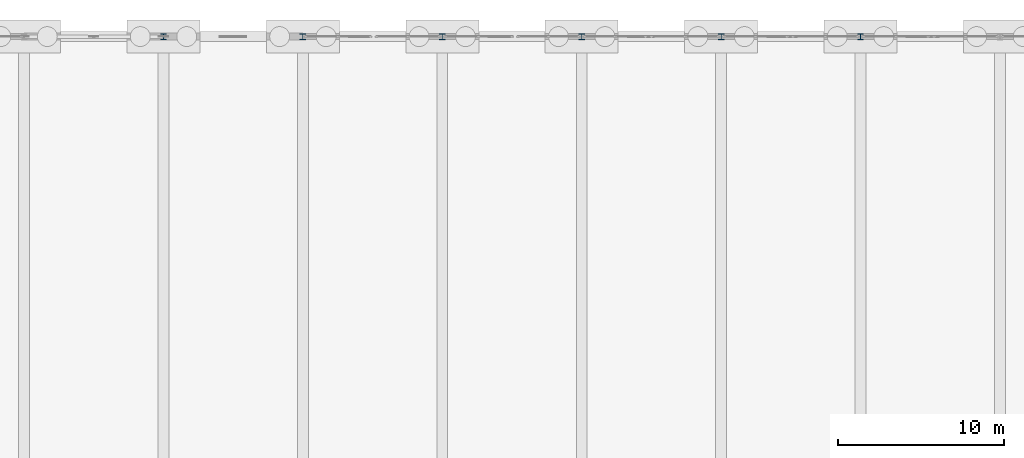
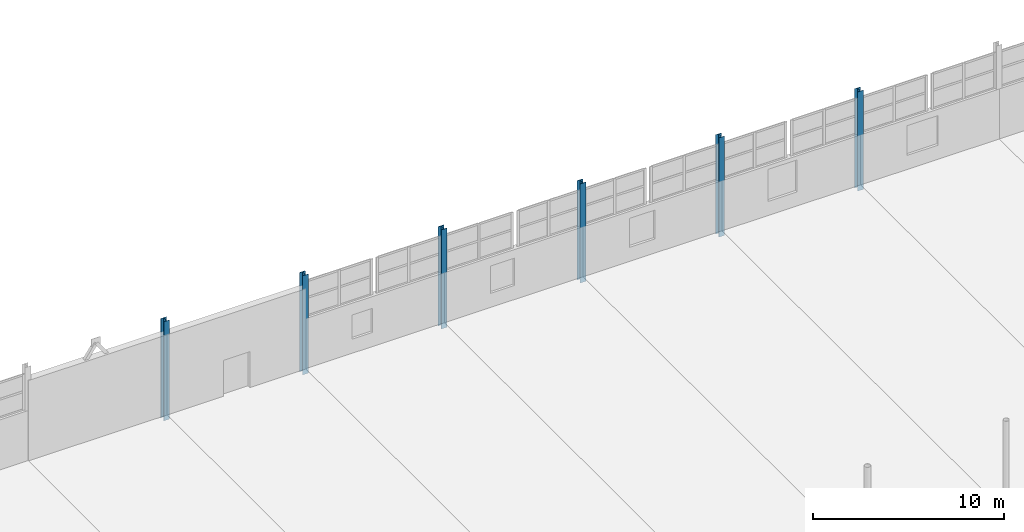
# One storey, part 50 of 139: 6 columns.
"""IFC4 building model written with IfcOpenShell, lengths in metres."""

from ifc_helpers import new_model, si_unit, direction, frame, origin, origin_2d, place, context, subcontext, project, spatial, i_section, extrude, material, material_profile, profile_set, type_object, element, save


model = new_model("IFC4")

# Units and contexts
model_context = context("Model", 3, precision=1e-05, world=origin(), true_north=direction((0.0, 1.0)))
body_context = subcontext(model_context, "Body", "Model", "MODEL_VIEW")
ifc_project = project(units=[si_unit("LENGTHUNIT", "METRE"), si_unit("AREAUNIT", "SQUARE_METRE"), si_unit("VOLUMEUNIT", "CUBIC_METRE"), si_unit("PLANEANGLEUNIT", "RADIAN"), si_unit("MASSUNIT", "GRAM", prefix="KILO")], contexts=[model_context])

# Site, building, storey
site_placement = place(None, origin())
site = spatial("IfcSite", under=ifc_project, at=site_placement, CompositionType="ELEMENT")
building_placement = place(site_placement, origin())
building = spatial("IfcBuilding", under=site, at=building_placement, Name="Kazenagashi Tramway Depot", CompositionType="ELEMENT")
storey_placement = place(building_placement, origin())
storey = spatial("IfcBuildingStorey", under=building, at=storey_placement, Name="L01", CompositionType="ELEMENT", Elevation=0.0)

# Columns
ifc_material = material(Name="Steel SN490B", Category="steel")
ifc_material_profile = material_profile(ifc_material, i_section(OverallWidth=0.35, OverallDepth=0.35, WebThickness=0.012, FlangeThickness=0.019, at=origin_2d()), Name="H-350x350x12x19")
ifc_profile_set = profile_set([ifc_material_profile], Name="Steel SN490B")
column_type = type_object("IfcColumnType", Name="C-04", PredefinedType="COLUMN", material=ifc_profile_set)
for number, where, z_axis, x_axis, name in (
    (1, (120.4, 130.0, -0.35), (0.0, 0.0, 1.0), (1.0, 0.0, 0.0), "Column C-04 COL-0059"),
    (2, (128.8, 130.0, -0.35), (0.0, 0.0, 1.0), (1.0, 0.0, 0.0), "Column C-04 COL-0065"),
    (3, (137.2, 130.0, -0.35), (0.0, 0.0, 1.0), (1.0, 0.0, 0.0), "Column C-04 COL-0071"),
    (4, (145.6, 130.0, -0.35), (0.0, 0.0, 1.0), (1.0, 0.0, 0.0), "Column C-04 COL-0077"),
    (5, (154.0, 130.0, -0.35), (0.0, 0.0, 1.0), (1.0, 0.0, 0.0), "Column C-04 COL-0083"),
    (6, (162.4, 130.0, -0.35), (0.0, 0.0, 1.0), (1.0, 0.0, 0.0), "Column C-04 COL-0089"),
):
    element("IfcColumn", number, at=place(storey_placement, frame(where, z_axis=z_axis, x_axis=x_axis)), inside=storey, type_object=column_type, Name=name, PredefinedType="COLUMN", context=body_context, shape_type="SweptSolid", body=[
        extrude(i_section(OverallWidth=0.35, OverallDepth=0.35, WebThickness=0.012, FlangeThickness=0.019, at=origin_2d()), origin(), (0.0, 0.0, 1.0), 6.35),
    ])

save(model, "model.ifc")
